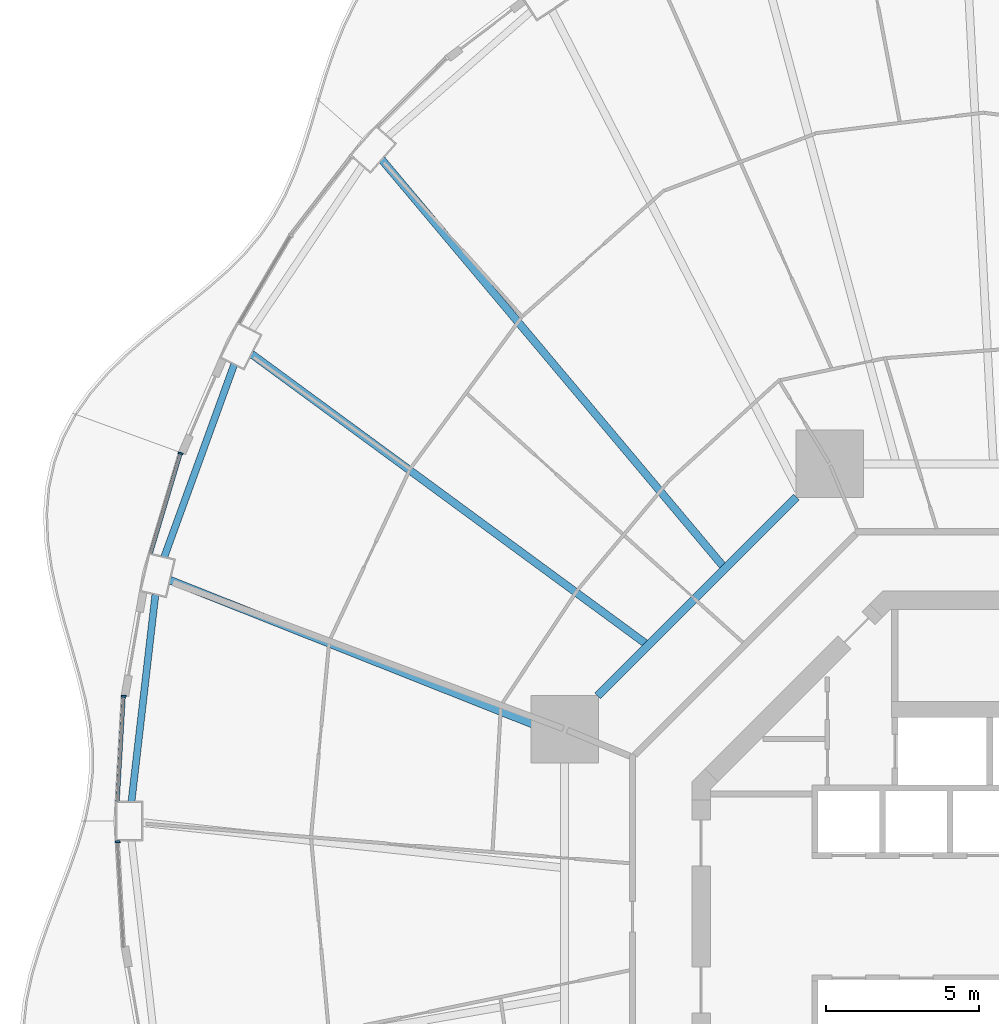
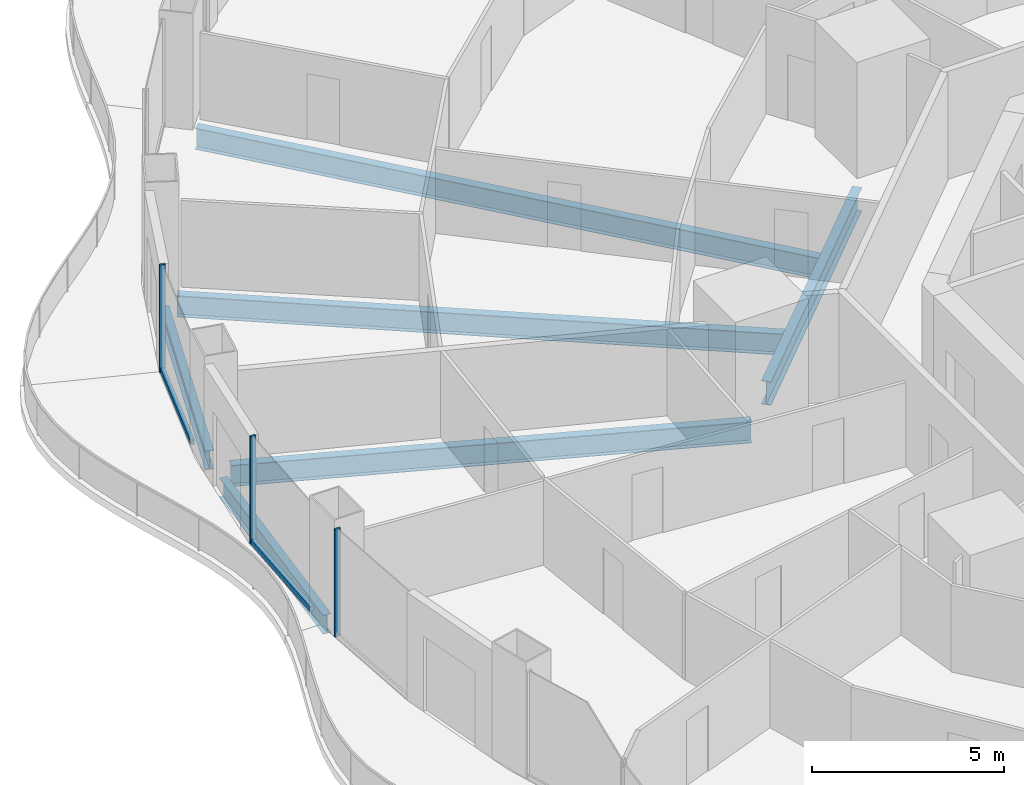
# One storey, part 7 of 22: 6 beams, 5 members, 3 elements without a shape of their own.
"""IFC4 building model written with IfcOpenShell, lengths in metres."""

from ifc_helpers import new_model, si_unit, direction, frame, origin, origin_2d, place, context, subcontext, project, spatial, rectangle, i_section, extrude, material, layer, layer_set, material_profile, profile_set, type_object, element, aggregate, save


model = new_model("IFC4")

# Units and contexts
model_context = context("Model", 3, precision=1e-05, world=origin(), true_north=direction((0.0, 1.0)))
body_context = subcontext(model_context, "Body", "Model", "MODEL_VIEW")
ifc_project = project(units=[si_unit("LENGTHUNIT", "METRE"), si_unit("AREAUNIT", "SQUARE_METRE"), si_unit("VOLUMEUNIT", "CUBIC_METRE"), si_unit("PLANEANGLEUNIT", "RADIAN"), si_unit("MASSUNIT", "GRAM", prefix="KILO")], contexts=[model_context])

# Site, building, storey
site_placement = place(None, origin())
site = spatial("IfcSite", under=ifc_project, at=site_placement, CompositionType="ELEMENT")
building_placement = place(site_placement, origin())
building = spatial("IfcBuilding", under=site, at=building_placement, Name="Nagisa Residences", CompositionType="ELEMENT")
storey_placement = place(building_placement, frame((0.0, 0.0, 77.0)))
storey = spatial("IfcBuildingStorey", under=building, at=storey_placement, Name="L18", CompositionType="ELEMENT", Elevation=77.0)

# Curtain wall, member
ifc_material_1 = material(Name="Concrete-coloured aluminium curtain wall system", Category="concrete")
ifc_layer = layer(ifc_material_1, 0.159912109375)
ifc_layer_set = layer_set([ifc_layer], Name="CW1 CURTAIN WALL")
curtain_wall_type = type_object("IfcCurtainWallType", Name="CW1 CURTAIN WALL", PredefinedType="NOTDEFINED", material=ifc_layer_set)
curtain_wall_1_placement = place(storey_placement, origin())
curtain_wall_1 = element("IfcCurtainWall", 1, at=curtain_wall_1_placement, inside=storey, type_object=curtain_wall_type, Name="cw:CW1:L18:21", PredefinedType="NOTDEFINED")
ifc_material_2 = material(Name="Concrete-coloured aluminium", Category="concrete")
ifc_material_profile_1 = material_profile(ifc_material_2, rectangle(XDim=0.159912109375, YDim=0.06005859375, at=origin_2d()), Name="CW1 MULLION 160x60")
ifc_profile_set_1 = profile_set([ifc_material_profile_1], Name="Concrete-coloured aluminium")
member_type_1 = type_object("IfcMemberType", Name="CW1 MULLION 160x60", PredefinedType="MULLION", material=ifc_profile_set_1)
member_1_placement = place(storey_placement, frame((-27.31884765625, 15.12646484375, 0.0), z_axis=(0.0, 0.0, 1.0), x_axis=(0.958271310082, -0.285860274038, 0.0)))
member_1 = element("IfcMember", 2, at=member_1_placement, type_object=member_type_1, Name="CW1 mullion", PredefinedType="MULLION", context=body_context, shape_type="SweptSolid", body=[
    extrude(rectangle(XDim=0.159912109375, YDim=0.06005859375, at=origin_2d()), origin(), (0.0, 0.0, 1.0), 3.43994140625),
])

curtain_wall_2_placement = place(storey_placement, origin())
curtain_wall_2 = element("IfcCurtainWall", 3, at=curtain_wall_2_placement, inside=storey, type_object=curtain_wall_type, Name="cw:CW1:L18:23", PredefinedType="NOTDEFINED")
member_2_placement = place(storey_placement, frame((-29.179931640625, 7.19677734375, 0.0), z_axis=(0.0, 0.0, 1.0), x_axis=(0.998345305184, -0.057503492216, 0.0)))
member_2 = element("IfcMember", 4, at=member_2_placement, type_object=member_type_1, Name="CW1 mullion", PredefinedType="MULLION", context=body_context, shape_type="SweptSolid", body=[
    extrude(rectangle(XDim=0.159912109375, YDim=0.06005859375, at=origin_2d()), origin(), (0.0, 0.0, 1.0), 3.43994140625),
])

curtain_wall_3_placement = place(storey_placement, origin())
curtain_wall_3 = element("IfcCurtainWall", 5, at=curtain_wall_3_placement, inside=storey, type_object=curtain_wall_type, Name="cw:CW1:L18:24", PredefinedType="NOTDEFINED")
member_3_placement = place(storey_placement, frame((-29.3759765625, 2.443359375, 0.0), z_axis=(0.0, 0.0, 1.0), x_axis=(0.998345305184, 0.057503492216, 0.0)))
member_3 = element("IfcMember", 6, at=member_3_placement, type_object=member_type_1, Name="CW1 mullion", PredefinedType="MULLION", context=body_context, shape_type="SweptSolid", body=[
    extrude(rectangle(XDim=0.159912109375, YDim=0.06005859375, at=origin_2d()), origin(), (0.0, 0.0, 1.0), 3.43994140625),
])
aggregate(curtain_wall_3, [member_3])

# Member
ifc_material_3 = material(Name="Concrete-coloured aluminium", Category="concrete")
ifc_material_profile_2 = material_profile(ifc_material_3, rectangle(XDim=0.1201171875, YDim=0.14990234375, at=origin_2d()), Name="CW1 TRANSOM 120x150")
ifc_profile_set_2 = profile_set([ifc_material_profile_2], Name="Concrete-coloured aluminium")
member_type_2 = type_object("IfcMemberType", Name="CW1 TRANSOM 120x150", PredefinedType="USERDEFINED", material=ifc_profile_set_2)
member_4_placement = place(storey_placement, frame((-27.310302734375, 15.155029296875, 0.074951171875), z_axis=(-0.285816610469, -0.958284334203, 0.0), x_axis=(0.958284334203, -0.285816610469, 0.0)))
member_4 = element("IfcMember", 7, at=member_4_placement, type_object=member_type_2, Name="CW1 transom", ObjectType="TRANSOM", PredefinedType="USERDEFINED", context=body_context, shape_type="SweptSolid", body=[
    extrude(rectangle(XDim=0.1201171875, YDim=0.14990234375, at=origin_2d()), origin(), (0.0, 0.0, 1.0), 3.423583984375),
])

aggregate(curtain_wall_1, [member_1, member_4])

member_5_placement = place(storey_placement, frame((-29.17822265625, 7.2265625, 0.074951171875), z_axis=(-0.057476526179, -0.99834685803, 0.0), x_axis=(0.99834685803, -0.057476526179, 0.0)))
member_5 = element("IfcMember", 8, at=member_5_placement, type_object=member_type_2, Name="CW1 transom", ObjectType="TRANSOM", PredefinedType="USERDEFINED", context=body_context, shape_type="SweptSolid", body=[
    extrude(rectangle(XDim=0.1201171875, YDim=0.14990234375, at=origin_2d()), origin(), (0.0, 0.0, 1.0), 3.47021484375),
])

aggregate(curtain_wall_2, [member_2, member_5])

# Beams
ifc_material_4 = material(Name="Steel ASTM A572 Gr 50", Category="steel")
ifc_material_profile_3 = material_profile(ifc_material_4, i_section(OverallWidth=0.264892578125, OverallDepth=0.7529296875, WebThickness=0.01318359375, FlangeThickness=0.01708984375, at=origin_2d()), Name="W760x147")
ifc_profile_set_3 = profile_set([ifc_material_profile_3], Name="Steel ASTM A572 Gr 50")
beam_type_1 = type_object("IfcBeamType", Name="Inner ring beam W760x147", PredefinedType="BEAM", material=ifc_profile_set_3)
beam_1_placement = place(storey_placement, frame((-7.208740234375, 13.6962890625, -0.636474609375), z_axis=(-0.707106781187, -0.707106781187, 0.0), x_axis=(0.707106781187, -0.707106781187, 0.0)))
element("IfcBeam", 9, at=beam_1_placement, inside=storey, type_object=beam_type_1, Name="beam:L18:ib3", PredefinedType="BEAM", context=body_context, shape_type="SweptSolid", body=[
    extrude(i_section(OverallWidth=0.264892578125, OverallDepth=0.7529296875, WebThickness=0.01318359375, FlangeThickness=0.01708984375, at=origin_2d()), origin(), (0.0, 0.0, 1.0), 9.1748046875),
])
ifc_material_5 = material(Name="Steel ASTM A572 Gr 50", Category="steel")
ifc_material_profile_4 = material_profile(ifc_material_5, i_section(OverallWidth=0.22802734375, OverallDepth=0.60302734375, WebThickness=0.010498046875, FlangeThickness=0.014892578125, at=origin_2d()), Name="W610x101")
ifc_profile_set_4 = profile_set([ifc_material_profile_4], Name="Steel ASTM A572 Gr 50")
beam_type_2 = type_object("IfcBeamType", Name="Perimeter ring beam W610x101", PredefinedType="BEAM", material=ifc_profile_set_4)
beam_2_placement = place(storey_placement, frame((-25.568359375, 18.028564453125, -0.5615234375), z_axis=(-0.341365002286, -0.939930814057, 0.0), x_axis=(0.939930814057, -0.341365002286, 0.0)))
element("IfcBeam", 10, at=beam_2_placement, inside=storey, type_object=beam_type_2, Name="beam:L18:pb11", PredefinedType="BEAM", context=body_context, shape_type="SweptSolid", body=[
    extrude(i_section(OverallWidth=0.22802734375, OverallDepth=0.60302734375, WebThickness=0.010498046875, FlangeThickness=0.014892578125, at=origin_2d()), origin(), (0.0, 0.0, 1.0), 6.689208984375),
])
beam_3_placement = place(storey_placement, frame((-28.14111328125, 10.5146484375, -0.5615234375), z_axis=(-0.114690766503, -0.993401242237, 0.0), x_axis=(0.993401242237, -0.114690766503, 0.0)))
element("IfcBeam", 11, at=beam_3_placement, inside=storey, type_object=beam_type_2, Name="beam:L18:pb12", PredefinedType="BEAM", context=body_context, shape_type="SweptSolid", body=[
    extrude(i_section(OverallWidth=0.22802734375, OverallDepth=0.60302734375, WebThickness=0.010498046875, FlangeThickness=0.014892578125, at=origin_2d()), origin(), (0.0, 0.0, 1.0), 6.811767578125),
])
ifc_material_6 = material(Name="Steel ASTM A572 Gr 50", Category="steel")
ifc_material_profile_5 = material_profile(ifc_material_6, i_section(OverallWidth=0.2529296875, OverallDepth=0.677978515625, WebThickness=0.01171875, FlangeThickness=0.016357421875, at=origin_2d()), Name="W690x125")
ifc_profile_set_5 = profile_set([ifc_material_profile_5], Name="Steel ASTM A572 Gr 50")
beam_type_3 = type_object("IfcBeamType", Name="Radial beam W690x125", PredefinedType="BEAM", material=ifc_profile_set_5)
beam_4_placement = place(storey_placement, frame((-20.75, 24.71533203125, -0.59912109375), z_axis=(0.642994706096, -0.765870620884, 0.0), x_axis=(0.765870620884, 0.642994706096, 0.0)))
element("IfcBeam", 12, at=beam_4_placement, inside=storey, type_object=beam_type_3, Name="beam:L18:rb10", PredefinedType="BEAM", context=body_context, shape_type="SweptSolid", body=[
    extrude(i_section(OverallWidth=0.2529296875, OverallDepth=0.677978515625, WebThickness=0.01171875, FlangeThickness=0.016357421875, at=origin_2d()), origin(), (0.0, 0.0, 1.0), 17.319580078125),
])
beam_5_placement = place(storey_placement, frame((-25.0, 18.366943359375, -0.59912109375), z_axis=(0.805892392895, -0.59206203313, 0.0), x_axis=(0.59206203313, 0.805892392895, 0.0)))
element("IfcBeam", 13, at=beam_5_placement, inside=storey, type_object=beam_type_3, Name="beam:L18:rb11", PredefinedType="BEAM", context=body_context, shape_type="SweptSolid", body=[
    extrude(i_section(OverallWidth=0.2529296875, OverallDepth=0.677978515625, WebThickness=0.01171875, FlangeThickness=0.016357421875, at=origin_2d()), origin(), (0.0, 0.0, 1.0), 15.95361328125),
])
beam_6_placement = place(storey_placement, frame((-27.6640625, 10.984375, -0.59912109375), z_axis=(0.929418643834, -0.369027078267, 0.0), x_axis=(0.369027078267, 0.929418643834, 0.0)))
element("IfcBeam", 14, at=beam_6_placement, inside=storey, type_object=beam_type_3, Name="beam:L18:rb12", PredefinedType="BEAM", context=body_context, shape_type="SweptSolid", body=[
    extrude(i_section(OverallWidth=0.2529296875, OverallDepth=0.677978515625, WebThickness=0.01171875, FlangeThickness=0.016357421875, at=origin_2d()), origin(), (0.0, 0.0, 1.0), 13.73779296875),
])

save(model, "model.ifc")
